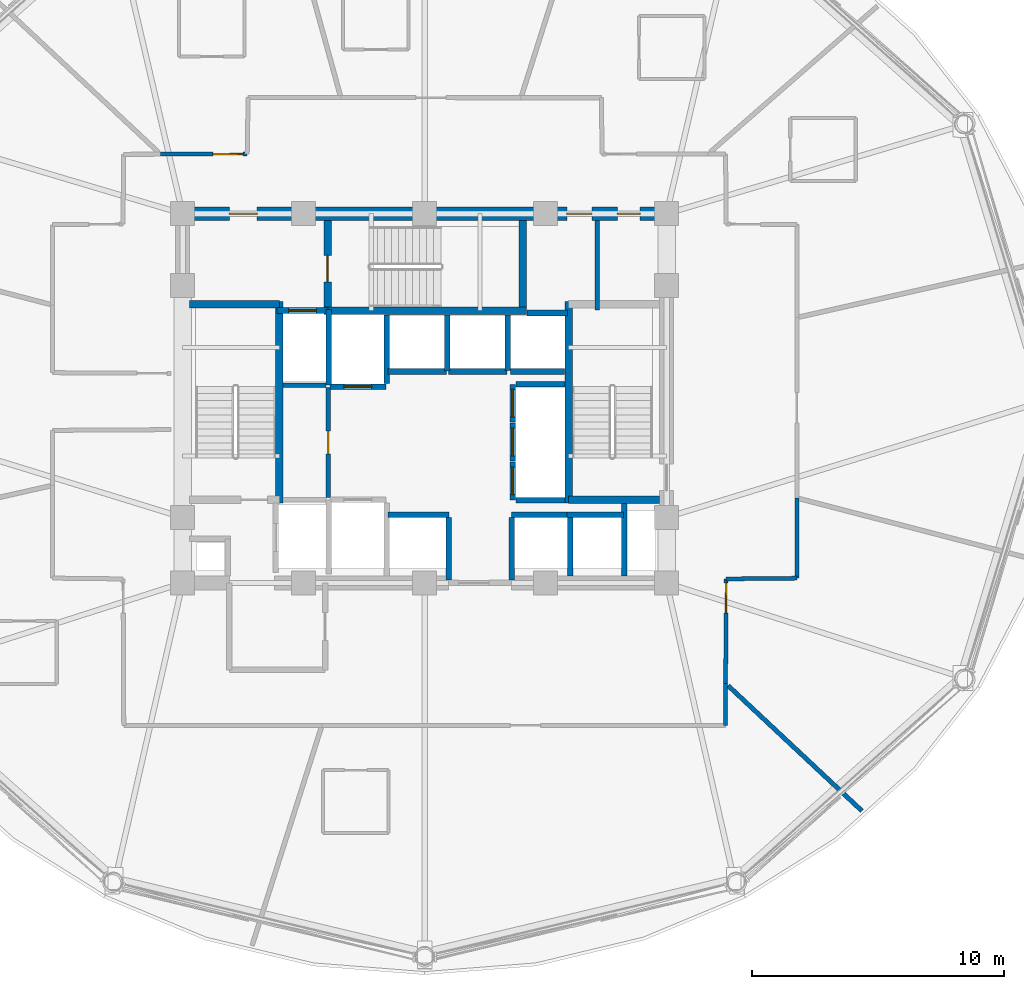
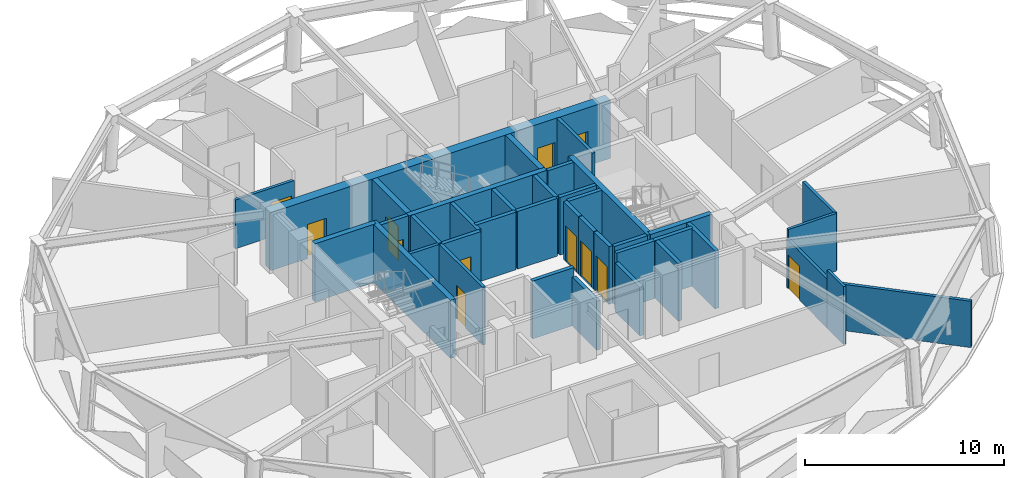
# One storey, part 6 of 12: 39 walls, 12 doors, 12 openings.
"""IFC4 building model written with IfcOpenShell, lengths in metres."""

from ifc_helpers import new_model, si_unit, direction, frame, frame_2d, origin, place, context, subcontext, project, spatial, rectangle, extrude, material, layer, layer_set, type_object, element, fill, save


model = new_model("IFC4")

# Units and contexts
model_context = context("Model", 3, precision=1e-05, world=origin(), true_north=direction((0.0, 1.0)))
body_context = subcontext(model_context, "Body", "Model", "MODEL_VIEW")
ifc_project = project(units=[si_unit("LENGTHUNIT", "METRE"), si_unit("AREAUNIT", "SQUARE_METRE"), si_unit("VOLUMEUNIT", "CUBIC_METRE"), si_unit("PLANEANGLEUNIT", "RADIAN"), si_unit("MASSUNIT", "GRAM", prefix="KILO")], contexts=[model_context])

# Site, building, storey
site_placement = place(None, origin())
site = spatial("IfcSite", under=ifc_project, at=site_placement, CompositionType="ELEMENT")
building_placement = place(site_placement, origin())
building = spatial("IfcBuilding", under=site, at=building_placement, Name="Vantalir Tower", CompositionType="ELEMENT")
storey_placement = place(building_placement, frame((0.0, 0.0, 160.949951171875)))
storey = spatial("IfcBuildingStorey", under=building, at=storey_placement, Name="L40", CompositionType="ELEMENT", Elevation=160.949951171875)

# Wall, openings, doors
ifc_material_1 = material(Name="Concrete C60/75", Category="concrete")
ifc_layer_1 = layer(ifc_material_1, 0.550048828125)
ifc_layer_set_1 = layer_set([ifc_layer_1], Name="Concrete C60/75")
wall_type_1 = type_object("IfcWallType", Name="WL-CORE-550", PredefinedType="SHEAR", material=ifc_layer_set_1)
wall_1_placement = place(storey_placement, frame((21.625, 32.449951171875, 0.0), z_axis=(0.0, 0.0, 1.0), x_axis=(1.0, 0.0, 0.0)))
wall_1 = element("IfcWall", 1, at=wall_1_placement, inside=storey, type_object=wall_type_1, Name="L40 Core Shear Wall North", PredefinedType="SHEAR", context=body_context, shape_type="SweptSolid", body=[
    extrude(rectangle(XDim=19.75, YDim=0.550048828125, at=frame_2d((9.875, 0.0))), origin(), (0.0, 0.0, 1.0), 3.570068359375),
])
opening_1_placement = place(wall_1_placement, frame((2.125, 0.0, 0.0)))
opening_1 = element("IfcOpeningElement", 2, at=opening_1_placement, cuts=wall_1, Name="Opening D-FFL", PredefinedType="OPENING", context=body_context, shape_type="SweptSolid", body=[
    extrude(rectangle(XDim=1.10009765625, YDim=2.10009765625, at=frame_2d((0.550048828125, 1.050048828125))), frame((0.0, 0.284912109375, 0.0), z_axis=(0.0, -1.0, 0.0), x_axis=(1.0, 0.0, 0.0)), (0.0, 0.0, 1.0), 0.570068359375),
])
opening_2_placement = place(wall_1_placement, frame((15.514892578125, 0.0, 0.0)))
opening_2 = element("IfcOpeningElement", 3, at=opening_2_placement, cuts=wall_1, Name="Opening D-GUEST", PredefinedType="OPENING", context=body_context, shape_type="SweptSolid", body=[
    extrude(rectangle(XDim=1.0, YDim=2.10009765625, at=frame_2d((0.5, 1.050048828125))), frame((0.0, 0.284912109375, 0.0), z_axis=(0.0, -1.0, 0.0), x_axis=(1.0, 0.0, 0.0)), (0.0, 0.0, 1.0), 0.570068359375),
])
opening_3_placement = place(wall_1_placement, frame((17.52490234375, 0.0, 0.0)))
opening_3 = element("IfcOpeningElement", 4, at=opening_3_placement, cuts=wall_1, Name="Opening D-CR", PredefinedType="OPENING", context=body_context, shape_type="SweptSolid", body=[
    extrude(rectangle(XDim=0.89990234375, YDim=2.10009765625, at=frame_2d((0.449951171875, 1.050048828125))), frame((0.0, 0.284912109375, 0.0), z_axis=(0.0, -1.0, 0.0), x_axis=(1.0, 0.0, 0.0)), (0.0, 0.0, 1.0), 0.570068359375),
])
ifc_material_2 = material(Name="Fire-rated steel core service door", Category="steel")
door_type_1 = type_object("IfcDoorType", Name="DR-CORE-SERV-900", OperationType="NOTDEFINED", PredefinedType="DOOR", material=ifc_material_2)
door_1_placement = place(opening_3_placement, frame((0.89990234375, 0.0, 0.0), z_axis=(0.0, 0.0, 1.0), x_axis=(-1.0, 0.0, 0.0)))
door_1 = element("IfcDoor", 5, at=door_1_placement, inside=storey, type_object=door_type_1, Name="L40 Housekeeping and Linen Room Door", OperationType="SINGLE_SWING_RIGHT", OverallHeight=2.10009765625, OverallWidth=0.89990234375, PredefinedType="DOOR", context=body_context, shape_type="SweptSolid", body=[
    extrude(rectangle(XDim=0.89990234375, YDim=2.10009765625, at=frame_2d((0.449951171875, 1.050048828125))), frame((0.0, 0.02490234375, 0.0), z_axis=(0.0, -1.0, 0.0), x_axis=(1.0, 0.0, 0.0)), (0.0, 0.0, 1.0), 0.050048828125),
])
fill(opening_3, door_1)
ifc_material_3 = material(Name="Fire-rated acoustic steel door", Category="steel")
door_type_2 = type_object("IfcDoorType", Name="DR-FIRE-LOBBY-1100", OperationType="NOTDEFINED", PredefinedType="DOOR", material=ifc_material_3)
door_2_placement = place(opening_1_placement, frame((1.10009765625, 0.0, 0.0), z_axis=(0.0, 0.0, 1.0), x_axis=(-1.0, 0.0, 0.0)))
door_2 = element("IfcDoor", 6, at=door_2_placement, inside=storey, type_object=door_type_2, Name="L40 Firefighting Lobby East Access Door", OperationType="SINGLE_SWING_RIGHT", OverallHeight=2.10009765625, OverallWidth=1.10009765625, PredefinedType="DOOR", context=body_context, shape_type="SweptSolid", body=[
    extrude(rectangle(XDim=1.10009765625, YDim=2.10009765625, at=frame_2d((0.550048828125, 1.050048828125))), frame((0.0, 0.02490234375, 0.0), z_axis=(0.0, -1.0, 0.0), x_axis=(1.0, 0.0, 0.0)), (0.0, 0.0, 1.0), 0.050048828125),
])
fill(opening_1, door_2)
ifc_material_4 = material(Name="Solid-core teak veneer acoustic fire door", Category="wood")
door_type_3 = type_object("IfcDoorType", Name="DR-GUEST-ENTRY-1000", OperationType="NOTDEFINED", PredefinedType="DOOR", material=ifc_material_4)
door_3_placement = place(opening_2_placement, frame((1.0, 0.0, 0.0), z_axis=(0.0, 0.0, 1.0), x_axis=(-1.0, 0.0, 0.0)))
door_3 = element("IfcDoor", 7, at=door_3_placement, inside=storey, type_object=door_type_3, Name="L40 High-Rise Lift Lobby Door", OperationType="SINGLE_SWING_LEFT", OverallHeight=2.10009765625, OverallWidth=1.0, PredefinedType="DOOR", context=body_context, shape_type="SweptSolid", body=[
    extrude(rectangle(XDim=1.0, YDim=2.10009765625, at=frame_2d((0.5, 1.050048828125))), frame((0.0, 0.02490234375, 0.0), z_axis=(0.0, -1.0, 0.0), x_axis=(1.0, 0.0, 0.0)), (0.0, 0.0, 1.0), 0.050048828125),
])
fill(opening_2, door_3)

# Wall, opening, door
ifc_material_5 = material(Name="Fire-rated hotel corridor acoustic partition", Category="gypsum")
ifc_layer_2 = layer(ifc_material_5, 0.159912109375)
ifc_layer_set_2 = layer_set([ifc_layer_2], Name="Fire-rated hotel corridor acoustic partition")
wall_type_2 = type_object("IfcWallType", Name="WL-CORR-160", PredefinedType="PARTITIONING", material=ifc_layer_set_2)
wall_2_placement = place(storey_placement, frame((21.02294921875, 34.81005859375, 0.0), z_axis=(0.0, 0.0, 1.0), x_axis=(0.999998990869, 0.00142065491, 0.0)))
wall_2 = element("IfcWall", 8, at=wall_2_placement, inside=storey, type_object=wall_type_2, Name="L40 Corridor Partition 07", PredefinedType="PARTITIONING", context=body_context, shape_type="SweptSolid", body=[
    extrude(rectangle(XDim=3.43701171875, YDim=0.159912109375, at=frame_2d((1.718505859375, 0.0))), origin(), (0.0, 0.0, 1.0), 3.006103515625),
])
opening_4_placement = place(wall_2_placement, frame((2.076904296875, 0.0, 0.0)))
opening_4 = element("IfcOpeningElement", 9, at=opening_4_placement, cuts=wall_2, Name="Opening D-STE", PredefinedType="OPENING", context=body_context, shape_type="SweptSolid", body=[
    extrude(rectangle(XDim=1.199951171875, YDim=2.10009765625, at=frame_2d((0.60009765625, 1.050048828125))), frame((0.0, 0.08984375, 0.0), z_axis=(0.0, -1.0, 0.0), x_axis=(1.0, 0.0, 0.0)), (0.0, 0.0, 1.0), 0.179931640625),
])
ifc_material_6 = material(Name="Solid-core teak veneer suite entrance door", Category="wood")
door_type_4 = type_object("IfcDoorType", Name="DR-SUITE-ENTRY-1200", OperationType="NOTDEFINED", PredefinedType="DOOR", material=ifc_material_6)
door_4_placement = place(opening_4_placement, origin())
door_4 = element("IfcDoor", 10, at=door_4_placement, inside=storey, type_object=door_type_4, Name="L40 Corner Panorama Hotel Suite 04 Door", OperationType="SINGLE_SWING_LEFT", OverallHeight=2.10009765625, OverallWidth=1.199951171875, PredefinedType="DOOR", context=body_context, shape_type="SweptSolid", body=[
    extrude(rectangle(XDim=1.199951171875, YDim=2.10009765625, at=frame_2d((0.60009765625, 1.050048828125))), frame((0.0, 0.02490234375, 0.0), z_axis=(0.0, -1.0, 0.0), x_axis=(1.0, 0.0, 0.0)), (0.0, 0.0, 1.0), 0.050048828125),
])
fill(opening_4, door_4)

# Walls
wall_3_placement = place(storey_placement, frame((46.26806640625, 21.1708984375, 0.0), z_axis=(0.0, 0.0, 1.0), x_axis=(0.0, -1.0, 0.0)))
element("IfcWall", 11, at=wall_3_placement, inside=storey, type_object=wall_type_2, Name="L40 Corridor Partition 19", PredefinedType="PARTITIONING", context=body_context, shape_type="SweptSolid", body=[
    extrude(rectangle(XDim=3.182861328125, YDim=0.159912109375, at=frame_2d((1.59130859375, 0.0))), origin(), (0.0, 0.0, 1.0), 3.550048828125),
])
wall_4_placement = place(storey_placement, frame((46.26806640625, 17.988037109375, 0.0), z_axis=(0.0, 0.0, 1.0), x_axis=(-0.999949838147, -0.010016046632, 0.0)))
element("IfcWall", 12, at=wall_4_placement, inside=storey, type_object=wall_type_2, Name="L40 Corridor Partition 20", PredefinedType="PARTITIONING", context=body_context, shape_type="SweptSolid", body=[
    extrude(rectangle(XDim=2.80322265625, YDim=0.159912109375, at=frame_2d((1.401611328125, 0.0))), origin(), (0.0, 0.0, 1.0), 3.550048828125),
])

# Wall, opening, door
wall_5_placement = place(storey_placement, frame((43.465087890625, 17.9599609375, 0.0), z_axis=(0.0, 0.0, 1.0), x_axis=(-0.005599676426, -0.999984321689, 0.0)))
wall_5 = element("IfcWall", 13, at=wall_5_placement, inside=storey, type_object=wall_type_2, Name="L40 Corridor Partition 21", PredefinedType="PARTITIONING", context=body_context, shape_type="SweptSolid", body=[
    extrude(rectangle(XDim=4.141845703125, YDim=0.159912109375, at=frame_2d((2.07080078125, 0.0))), origin(), (0.0, 0.0, 1.0), 3.006103515625),
])
opening_5_placement = place(wall_5_placement, frame((0.159912109375, 0.0, 0.0)))
opening_5 = element("IfcOpeningElement", 14, at=opening_5_placement, cuts=wall_5, Name="Opening D-STE", PredefinedType="OPENING", context=body_context, shape_type="SweptSolid", body=[
    extrude(rectangle(XDim=1.199951171875, YDim=2.10009765625, at=frame_2d((0.60009765625, 1.050048828125))), frame((0.0, 0.08984375, 0.0), z_axis=(0.0, -1.0, 0.0), x_axis=(1.0, 0.0, 0.0)), (0.0, 0.0, 1.0), 0.179931640625),
])
door_5_placement = place(opening_5_placement, origin())
door_5 = element("IfcDoor", 15, at=door_5_placement, inside=storey, type_object=door_type_4, Name="L40 Executive Sky Boardroom 09 Door", OperationType="SINGLE_SWING_RIGHT", OverallHeight=2.10009765625, OverallWidth=1.199951171875, PredefinedType="DOOR", context=body_context, shape_type="SweptSolid", body=[
    extrude(rectangle(XDim=1.199951171875, YDim=2.10009765625, at=frame_2d((0.60009765625, 1.050048828125))), frame((0.0, 0.02490234375, 0.0), z_axis=(0.0, -1.0, 0.0), x_axis=(1.0, 0.0, 0.0)), (0.0, 0.0, 1.0), 0.050048828125),
])
fill(opening_5, door_5)

# Walls
wall_6_placement = place(storey_placement, frame((43.44189453125, 13.818115234375, 0.0), z_axis=(0.0, 0.0, 1.0), x_axis=(-0.005271562423, -0.999986105218, 0.0)))
element("IfcWall", 16, at=wall_6_placement, inside=storey, type_object=wall_type_2, Name="L40 Corridor Partition 22", PredefinedType="PARTITIONING", context=body_context, shape_type="SweptSolid", body=[
    extrude(rectangle(XDim=1.667236328125, YDim=0.159912109375, at=frame_2d((0.83349609375, 0.0))), origin(), (0.0, 0.0, 1.0), 3.550048828125),
])
ifc_material_7 = material(Name="Concrete blockwork with fireboard lining", Category="masonry")
ifc_layer_3 = layer(ifc_material_7, 0.219970703125)
ifc_layer_set_3 = layer_set([ifc_layer_3], Name="Concrete blockwork with fireboard lining")
wall_type_3 = type_object("IfcWallType", Name="WL-FFL-220", PredefinedType="PARTITIONING", material=ifc_layer_set_3)
for number, where, z_axis, x_axis, name in (
    (17, (32.449951171875, 17.919921875, 0.0), (0.0, 0.0, 1.0), (0.0, 1.0, 0.0), "L40 Shuttle Lift PL-X1 East Shaft Cheek"),
    (18, (34.949951171875, 17.919921875, 0.0), (0.0, 0.0, 1.0), (0.0, 1.0, 0.0), "L40 Shuttle Lift PL-X3 West Shaft Cheek"),
):
    element("IfcWall", number, at=place(storey_placement, frame(where, z_axis=z_axis, x_axis=x_axis)), inside=storey, type_object=wall_type_3, Name=name, PredefinedType="PARTITIONING", context=body_context, shape_type="SweptSolid", body=[
        extrude(rectangle(XDim=2.469970703125, YDim=0.219970703125, at=frame_2d((1.23486328125, 0.0))), origin(), (0.0, 0.0, 1.0), 3.006103515625),
    ])
wall_7_placement = place(storey_placement, frame((37.27490234375, 18.080078125, 0.0), z_axis=(0.0, 0.0, 1.0), x_axis=(0.0, 1.0, 0.0)))
element("IfcWall", 19, at=wall_7_placement, inside=storey, type_object=wall_type_3, Name="L40 Shuttle Lift PL-X2/X3 Shaft Divider", PredefinedType="PARTITIONING", context=body_context, shape_type="SweptSolid", body=[
    extrude(rectangle(XDim=2.309814453125, YDim=0.219970703125, at=frame_2d((1.15478515625, 0.0))), origin(), (0.0, 0.0, 1.0), 3.545166015625),
])
wall_8_placement = place(storey_placement, frame((30.0, 25.7099609375, 0.0), z_axis=(0.0, 0.0, 1.0), x_axis=(0.0, 1.0, 0.0)))
element("IfcWall", 20, at=wall_8_placement, inside=storey, type_object=wall_type_3, Name="L40 Service Lift SV2 East Shaft Wall", PredefinedType="PARTITIONING", context=body_context, shape_type="SweptSolid", body=[
    extrude(rectangle(XDim=2.72998046875, YDim=0.219970703125, at=frame_2d((1.364990234375, 0.0))), origin(), (0.0, 0.0, 1.0), 3.545166015625),
])
wall_9_placement = place(storey_placement, frame((32.39990234375, 26.199951171875, 0.0), z_axis=(0.0, 0.0, 1.0), x_axis=(0.0, 1.0, 0.0)))
element("IfcWall", 21, at=wall_9_placement, inside=storey, type_object=wall_type_3, Name="L40 High-Rise Lift PL-H1/H2 Shaft Divider", PredefinedType="PARTITIONING", context=body_context, shape_type="SweptSolid", body=[
    extrude(rectangle(XDim=2.239990234375, YDim=0.219970703125, at=frame_2d((1.1201171875, 0.0))), origin(), (0.0, 0.0, 1.0), 3.545166015625),
])
wall_10_placement = place(storey_placement, frame((34.800048828125, 26.22998046875, 0.0), z_axis=(0.0, 0.0, 1.0), x_axis=(0.0, 1.0, 0.0)))
element("IfcWall", 22, at=wall_10_placement, inside=storey, type_object=wall_type_3, Name="L40 High-Rise Lift PL-H2/H3 Shaft Divider", PredefinedType="PARTITIONING", context=body_context, shape_type="SweptSolid", body=[
    extrude(rectangle(XDim=2.2099609375, YDim=0.219970703125, at=frame_2d((1.10498046875, 0.0))), origin(), (0.0, 0.0, 1.0), 3.545166015625),
])
wall_11_placement = place(storey_placement, frame((34.909912109375, 26.18994140625, 0.0), z_axis=(0.0, 0.0, 1.0), x_axis=(1.0, 0.0, 0.0)))
element("IfcWall", 23, at=wall_11_placement, inside=storey, type_object=wall_type_3, Name="L40 High-Rise Lift PL-H3 Rear Shaft Wall", PredefinedType="PARTITIONING", context=body_context, shape_type="SweptSolid", body=[
    extrude(rectangle(XDim=2.14013671875, YDim=0.219970703125, at=frame_2d((1.070068359375, 0.0))), origin(), (0.0, 0.0, 1.0), 3.545166015625),
])
wall_12_placement = place(storey_placement, frame((39.419921875, 18.074951171875, 0.0), z_axis=(0.0, 0.0, 1.0), x_axis=(0.0, 1.0, 0.0)))
element("IfcWall", 24, at=wall_12_placement, inside=storey, type_object=wall_type_3, Name="L40 East MEP Riser Wall W", PredefinedType="PARTITIONING", context=body_context, shape_type="SweptSolid", body=[
    extrude(rectangle(XDim=2.875, YDim=0.219970703125, at=frame_2d((1.4375, 0.0))), origin(), (0.0, 0.0, 1.0), 3.550048828125),
])

# Wall, opening, door
wall_13_placement = place(storey_placement, frame((25.639892578125, 28.610107421875, 0.0), z_axis=(0.0, 0.0, 1.0), x_axis=(1.0, 0.0, 0.0)))
wall_13 = element("IfcWall", 25, at=wall_13_placement, inside=storey, type_object=wall_type_3, Name="L40 Lift FL2 Shaft Front Wall", PredefinedType="PARTITIONING", context=body_context, shape_type="SweptSolid", body=[
    extrude(rectangle(XDim=2.02001953125, YDim=0.219970703125, at=frame_2d((1.010009765625, 0.0))), origin(), (0.0, 0.0, 1.0), 3.550048828125),
])
opening_6_placement = place(wall_13_placement, frame((0.4599609375, 0.0, 0.0)))
opening_6 = element("IfcOpeningElement", 26, at=opening_6_placement, cuts=wall_13, Name="Opening LD-FL2", PredefinedType="OPENING", context=body_context, shape_type="SweptSolid", body=[
    extrude(rectangle(XDim=1.10009765625, YDim=2.199951171875, at=frame_2d((0.550048828125, 1.10009765625))), frame((0.0, 0.119873046875, 0.0), z_axis=(0.0, -1.0, 0.0), x_axis=(1.0, 0.0, 0.0)), (0.0, 0.0, 1.0), 0.239990234375),
])
ifc_material_8 = material(Name="Brushed stainless-steel sliding lift landing door", Category="steel")
door_type_5 = type_object("IfcDoorType", Name="DR-LIFT-LANDING-1100", OperationType="DOUBLE_DOOR_SLIDING", PredefinedType="DOOR", material=ifc_material_8)
door_6_placement = place(opening_6_placement, origin())
door_6 = element("IfcDoor", 27, at=door_6_placement, inside=storey, type_object=door_type_5, Name="L40 Lift Landing Door FL2", OperationType="DOUBLE_DOOR_SLIDING", OverallHeight=2.199951171875, OverallWidth=1.10009765625, PredefinedType="DOOR", context=body_context, shape_type="SweptSolid", body=[
    extrude(rectangle(XDim=1.10009765625, YDim=2.199951171875, at=frame_2d((0.550048828125, 1.10009765625))), frame((0.0, 0.02490234375, 0.0), z_axis=(0.0, -1.0, 0.0), x_axis=(1.0, 0.0, 0.0)), (0.0, 0.0, 1.0), 0.050048828125),
])
fill(opening_6, door_6)

wall_14_placement = place(storey_placement, frame((27.739990234375, 25.590087890625, 0.0), z_axis=(0.0, 0.0, 1.0), x_axis=(1.0, 0.0, 0.0)))
wall_14 = element("IfcWall", 28, at=wall_14_placement, inside=storey, type_object=wall_type_3, Name="L40 Lift SV2 Shaft Front Wall", PredefinedType="PARTITIONING", context=body_context, shape_type="SweptSolid", body=[
    extrude(rectangle(XDim=2.219970703125, YDim=0.219970703125, at=frame_2d((1.10986328125, 0.0))), origin(), (0.0, 0.0, 1.0), 3.550048828125),
])
opening_7_placement = place(wall_14_placement, frame((0.56005859375, 0.0, 0.0)))
opening_7 = element("IfcOpeningElement", 29, at=opening_7_placement, cuts=wall_14, Name="Opening LD-SV2", PredefinedType="OPENING", context=body_context, shape_type="SweptSolid", body=[
    extrude(rectangle(XDim=1.10009765625, YDim=2.199951171875, at=frame_2d((0.550048828125, 1.10009765625))), frame((0.0, 0.119873046875, 0.0), z_axis=(0.0, -1.0, 0.0), x_axis=(1.0, 0.0, 0.0)), (0.0, 0.0, 1.0), 0.239990234375),
])
door_7_placement = place(opening_7_placement, frame((1.10009765625, 0.0, 0.0), z_axis=(0.0, 0.0, 1.0), x_axis=(-1.0, 0.0, 0.0)))
door_7 = element("IfcDoor", 30, at=door_7_placement, inside=storey, type_object=door_type_5, Name="L40 Lift Landing Door SV2", OperationType="DOUBLE_DOOR_SLIDING", OverallHeight=2.199951171875, OverallWidth=1.10009765625, PredefinedType="DOOR", context=body_context, shape_type="SweptSolid", body=[
    extrude(rectangle(XDim=1.10009765625, YDim=2.199951171875, at=frame_2d((0.550048828125, 1.10009765625))), frame((0.0, 0.02490234375, 0.0), z_axis=(0.0, -1.0, 0.0), x_axis=(1.0, 0.0, 0.0)), (0.0, 0.0, 1.0), 0.050048828125),
])
fill(opening_7, door_7)

# Walls
wall_15_placement = place(storey_placement, frame((30.0400390625, 20.510009765625, 0.0), z_axis=(0.0, 0.0, 1.0), x_axis=(1.0, 0.0, 0.0)))
element("IfcWall", 31, at=wall_15_placement, inside=storey, type_object=wall_type_3, Name="L40 Lift PL-X1 Shaft Front Wall", PredefinedType="PARTITIONING", context=body_context, shape_type="SweptSolid", body=[
    extrude(rectangle(XDim=2.419921875, YDim=0.219970703125, at=frame_2d((1.2099609375, 0.0))), origin(), (0.0, 0.0, 1.0), 3.550048828125),
])
for number, where, z_axis, x_axis, name in (
    (32, (37.139892578125, 20.510009765625, 0.0), (0.0, 0.0, 1.0), (1.0, 0.0, 0.0), "L40 Lift PL-X2 Shaft Rear Wall"),
    (33, (34.93994140625, 20.510009765625, 0.0), (0.0, 0.0, 1.0), (1.0, 0.0, 0.0), "L40 Lift PL-X3 Shaft Front Wall"),
):
    element("IfcWall", number, at=place(storey_placement, frame(where, z_axis=z_axis, x_axis=x_axis)), inside=storey, type_object=wall_type_3, Name=name, PredefinedType="PARTITIONING", context=body_context, shape_type="SweptSolid", body=[
        extrude(rectangle(XDim=2.239990234375, YDim=0.219970703125, at=frame_2d((1.1201171875, 0.0))), origin(), (0.0, 0.0, 1.0), 3.550048828125),
    ])
for number, where, z_axis, x_axis, name in (
    (34, (30.0400390625, 26.18994140625, 0.0), (0.0, 0.0, 1.0), (1.0, 0.0, 0.0), "L40 Lift PL-H1 Shaft Front Wall"),
    (35, (32.43994140625, 26.18994140625, 0.0), (0.0, 0.0, 1.0), (1.0, 0.0, 0.0), "L40 Lift PL-H2 Shaft Front Wall"),
):
    element("IfcWall", number, at=place(storey_placement, frame(where, z_axis=z_axis, x_axis=x_axis)), inside=storey, type_object=wall_type_3, Name=name, PredefinedType="PARTITIONING", context=body_context, shape_type="SweptSolid", body=[
        extrude(rectangle(XDim=2.320068359375, YDim=0.219970703125, at=frame_2d((1.16015625, 0.0))), origin(), (0.0, 0.0, 1.0), 3.550048828125),
    ])
wall_16_placement = place(storey_placement, frame((35.56005859375, 28.510009765625, 0.0), z_axis=(0.0, 0.0, 1.0), x_axis=(1.0, 0.0, 0.0)))
element("IfcWall", 36, at=wall_16_placement, inside=storey, type_object=wall_type_3, Name="L40 Lift PL-H3 Shaft Front Wall", PredefinedType="PARTITIONING", context=body_context, shape_type="SweptSolid", body=[
    extrude(rectangle(XDim=1.599853515625, YDim=0.219970703125, at=frame_2d((0.7998046875, 0.0))), origin(), (0.0, 0.0, 1.0), 3.550048828125),
])

# Wall, opening, door
wall_17_placement = place(storey_placement, frame((34.989990234375, 21.10009765625, 0.0), z_axis=(0.0, 0.0, 1.0), x_axis=(0.0, 1.0, 0.0)))
wall_17 = element("IfcWall", 37, at=wall_17_placement, inside=storey, type_object=wall_type_3, Name="L40 Lift PL-M1 Shaft Front Wall", PredefinedType="PARTITIONING", context=body_context, shape_type="SweptSolid", body=[
    extrude(rectangle(XDim=1.5, YDim=0.219970703125, at=frame_2d((0.75, 0.0))), origin(), (0.0, 0.0, 1.0), 3.550048828125),
])
opening_8_placement = place(wall_17_placement, frame((0.199951171875, 0.0, 0.0)))
opening_8 = element("IfcOpeningElement", 38, at=opening_8_placement, cuts=wall_17, Name="Opening LD-PL-M1", PredefinedType="OPENING", context=body_context, shape_type="SweptSolid", body=[
    extrude(rectangle(XDim=1.10009765625, YDim=2.199951171875, at=frame_2d((0.550048828125, 1.10009765625))), frame((0.0, 0.119873046875, 0.0), z_axis=(0.0, -1.0, 0.0), x_axis=(1.0, 0.0, 0.0)), (0.0, 0.0, 1.0), 0.239990234375),
])
door_8_placement = place(opening_8_placement, origin())
door_8 = element("IfcDoor", 39, at=door_8_placement, inside=storey, type_object=door_type_5, Name="L40 Lift Landing Door PL-M1", OperationType="DOUBLE_DOOR_SLIDING", OverallHeight=2.199951171875, OverallWidth=1.10009765625, PredefinedType="DOOR", context=body_context, shape_type="SweptSolid", body=[
    extrude(rectangle(XDim=1.10009765625, YDim=2.199951171875, at=frame_2d((0.550048828125, 1.10009765625))), frame((0.0, 0.02490234375, 0.0), z_axis=(0.0, -1.0, 0.0), x_axis=(1.0, 0.0, 0.0)), (0.0, 0.0, 1.0), 0.050048828125),
])
fill(opening_8, door_8)

wall_18_placement = place(storey_placement, frame((34.989990234375, 22.639892578125, 0.0), z_axis=(0.0, 0.0, 1.0), x_axis=(0.0, 1.0, 0.0)))
wall_18 = element("IfcWall", 40, at=wall_18_placement, inside=storey, type_object=wall_type_3, Name="L40 Lift PL-M2 Shaft Front Wall", PredefinedType="PARTITIONING", context=body_context, shape_type="SweptSolid", body=[
    extrude(rectangle(XDim=1.5, YDim=0.219970703125, at=frame_2d((0.75, 0.0))), origin(), (0.0, 0.0, 1.0), 3.550048828125),
])
opening_9_placement = place(wall_18_placement, frame((0.199951171875, 0.0, 0.0)))
opening_9 = element("IfcOpeningElement", 41, at=opening_9_placement, cuts=wall_18, Name="Opening LD-PL-M2", PredefinedType="OPENING", context=body_context, shape_type="SweptSolid", body=[
    extrude(rectangle(XDim=1.10009765625, YDim=2.199951171875, at=frame_2d((0.550048828125, 1.10009765625))), frame((0.0, 0.119873046875, 0.0), z_axis=(0.0, -1.0, 0.0), x_axis=(1.0, 0.0, 0.0)), (0.0, 0.0, 1.0), 0.239990234375),
])
door_9_placement = place(opening_9_placement, origin())
door_9 = element("IfcDoor", 42, at=door_9_placement, inside=storey, type_object=door_type_5, Name="L40 Lift Landing Door PL-M2", OperationType="DOUBLE_DOOR_SLIDING", OverallHeight=2.199951171875, OverallWidth=1.10009765625, PredefinedType="DOOR", context=body_context, shape_type="SweptSolid", body=[
    extrude(rectangle(XDim=1.10009765625, YDim=2.199951171875, at=frame_2d((0.550048828125, 1.10009765625))), frame((0.0, 0.02490234375, 0.0), z_axis=(0.0, -1.0, 0.0), x_axis=(1.0, 0.0, 0.0)), (0.0, 0.0, 1.0), 0.050048828125),
])
fill(opening_9, door_9)

wall_19_placement = place(storey_placement, frame((34.989990234375, 24.179931640625, 0.0), z_axis=(0.0, 0.0, 1.0), x_axis=(0.0, 1.0, 0.0)))
wall_19 = element("IfcWall", 43, at=wall_19_placement, inside=storey, type_object=wall_type_3, Name="L40 Lift PL-M3 Shaft Front Wall", PredefinedType="PARTITIONING", context=body_context, shape_type="SweptSolid", body=[
    extrude(rectangle(XDim=1.5, YDim=0.219970703125, at=frame_2d((0.75, 0.0))), origin(), (0.0, 0.0, 1.0), 3.550048828125),
])
opening_10_placement = place(wall_19_placement, frame((0.199951171875, 0.0, 0.0)))
opening_10 = element("IfcOpeningElement", 44, at=opening_10_placement, cuts=wall_19, Name="Opening LD-PL-M3", PredefinedType="OPENING", context=body_context, shape_type="SweptSolid", body=[
    extrude(rectangle(XDim=1.10009765625, YDim=2.199951171875, at=frame_2d((0.550048828125, 1.10009765625))), frame((0.0, 0.119873046875, 0.0), z_axis=(0.0, -1.0, 0.0), x_axis=(1.0, 0.0, 0.0)), (0.0, 0.0, 1.0), 0.239990234375),
])
door_10_placement = place(opening_10_placement, origin())
door_10 = element("IfcDoor", 45, at=door_10_placement, inside=storey, type_object=door_type_5, Name="L40 Lift Landing Door PL-M3", OperationType="DOUBLE_DOOR_SLIDING", OverallHeight=2.199951171875, OverallWidth=1.10009765625, PredefinedType="DOOR", context=body_context, shape_type="SweptSolid", body=[
    extrude(rectangle(XDim=1.10009765625, YDim=2.199951171875, at=frame_2d((0.550048828125, 1.10009765625))), frame((0.0, 0.02490234375, 0.0), z_axis=(0.0, -1.0, 0.0), x_axis=(1.0, 0.0, 0.0)), (0.0, 0.0, 1.0), 0.050048828125),
])
fill(opening_10, door_10)

# Walls
wall_20_placement = place(storey_placement, frame((27.699951171875, 25.64990234375, 0.0), z_axis=(0.0, 0.0, 1.0), x_axis=(0.0, 1.0, 0.0)))
element("IfcWall", 46, at=wall_20_placement, inside=storey, type_object=wall_type_3, Name="L40 Fire Lift FL2 Dividing Wall", PredefinedType="PARTITIONING", context=body_context, shape_type="SweptSolid", body=[
    extrude(rectangle(XDim=3.0, YDim=0.219970703125, at=frame_2d((1.5, 0.0))), origin(), (0.0, 0.0, 1.0), 3.550048828125),
])
for number, where, z_axis, x_axis, name in (
    (47, (35.1201171875, 21.080078125, 0.0), (0.0, 0.0, 1.0), (1.0, 0.0, 0.0), "L40 Mid-Rise Bank South Wall"),
    (48, (35.1201171875, 25.679931640625, 0.0), (0.0, 0.0, 1.0), (1.0, 0.0, 0.0), "L40 Mid-Rise Bank North Wall"),
):
    element("IfcWall", number, at=place(storey_placement, frame(where, z_axis=z_axis, x_axis=x_axis)), inside=storey, type_object=wall_type_3, Name=name, PredefinedType="PARTITIONING", context=body_context, shape_type="SweptSolid", body=[
        extrude(rectangle(XDim=1.93994140625, YDim=0.219970703125, at=frame_2d((0.969970703125, 0.0))), origin(), (0.0, 0.0, 1.0), 3.550048828125),
    ])
ifc_material_9 = material(Name="Twin-stud acoustic fire-rated gypsum partition", Category="gypsum")
ifc_layer_4 = layer(ifc_material_9, 0.179931640625)
ifc_layer_set_4 = layer_set([ifc_layer_4], Name="Twin-stud acoustic fire-rated gypsum partition")
wall_type_4 = type_object("IfcWallType", Name="WL-GUEST-180", PredefinedType="PARTITIONING", material=ifc_layer_set_4)
wall_21_placement = place(storey_placement, frame((25.889892578125, 25.64990234375, 0.0), z_axis=(0.0, 0.0, 1.0), x_axis=(1.0, 0.0, 0.0)))
element("IfcWall", 49, at=wall_21_placement, inside=storey, type_object=wall_type_4, Name="L40 Freed West Core North Wall", PredefinedType="PARTITIONING", context=body_context, shape_type="SweptSolid", body=[
    extrude(rectangle(XDim=1.7001953125, YDim=0.179931640625, at=frame_2d((0.85009765625, 0.0))), origin(), (0.0, 0.0, 1.0), 3.550048828125),
])

# Wall, opening, door
wall_22_placement = place(storey_placement, frame((27.679931640625, 21.18994140625, 0.0), z_axis=(0.0, 0.0, 1.0), x_axis=(0.0, 1.0, 0.0)))
wall_22 = element("IfcWall", 50, at=wall_22_placement, inside=storey, type_object=wall_type_4, Name="L40 West Pantry East Wall", PredefinedType="PARTITIONING", context=body_context, shape_type="SweptSolid", body=[
    extrude(rectangle(XDim=4.3701171875, YDim=0.179931640625, at=frame_2d((2.18505859375, 0.0))), origin(), (0.0, 0.0, 1.0), 3.550048828125),
])
opening_11_placement = place(wall_22_placement, frame((1.735107421875, 0.0, 0.0)))
opening_11 = element("IfcOpeningElement", 51, at=opening_11_placement, cuts=wall_22, Name="Opening D-CR", PredefinedType="OPENING", context=body_context, shape_type="SweptSolid", body=[
    extrude(rectangle(XDim=0.89990234375, YDim=2.10009765625, at=frame_2d((0.449951171875, 1.050048828125))), frame((0.0, 0.099853515625, 0.0), z_axis=(0.0, -1.0, 0.0), x_axis=(1.0, 0.0, 0.0)), (0.0, 0.0, 1.0), 0.199951171875),
])
door_11_placement = place(opening_11_placement, origin())
door_11 = element("IfcDoor", 52, at=door_11_placement, inside=storey, type_object=door_type_1, Name="L40 Core Pantry Door", OperationType="SINGLE_SWING_LEFT", OverallHeight=2.10009765625, OverallWidth=0.89990234375, PredefinedType="DOOR", context=body_context, shape_type="SweptSolid", body=[
    extrude(rectangle(XDim=0.89990234375, YDim=2.10009765625, at=frame_2d((0.449951171875, 1.050048828125))), frame((0.0, 0.02490234375, 0.0), z_axis=(0.0, -1.0, 0.0), x_axis=(1.0, 0.0, 0.0)), (0.0, 0.0, 1.0), 0.050048828125),
])
fill(opening_11, door_11)

# Walls
wall_23_placement = place(storey_placement, frame((38.340087890625, 28.6201171875, 0.0), z_axis=(0.0, 0.0, 1.0), x_axis=(0.0, 1.0, 0.0)))
element("IfcWall", 53, at=wall_23_placement, inside=storey, type_object=wall_type_4, Name="L40 High-Rise Lift Lobby East Wall", PredefinedType="PARTITIONING", context=body_context, shape_type="SweptSolid", body=[
    extrude(rectangle(XDim=3.554931640625, YDim=0.179931640625, at=frame_2d((1.77734375, 0.0))), origin(), (0.0, 0.0, 1.0), 3.550048828125),
])
wall_24_placement = place(storey_placement, frame((43.5400390625, 13.72607421875, 0.0), z_axis=(0.0, 0.0, 1.0), x_axis=(0.730026032341, -0.683419338404, 0.0)))
element("IfcWall", 54, at=wall_24_placement, inside=storey, type_object=wall_type_4, Name="L40 Radial Suite Partition 09", PredefinedType="PARTITIONING", context=body_context, shape_type="SweptSolid", body=[
    extrude(rectangle(XDim=7.270751953125, YDim=0.179931640625, at=frame_2d((3.63525390625, 0.0))), origin(), (0.0, 0.0, 1.0), 2.85205078125),
])
ifc_material_10 = material(Name="Concrete C50/60", Category="concrete")
ifc_layer_5 = layer(ifc_material_10, 0.300048828125)
ifc_layer_set_5 = layer_set([ifc_layer_5], Name="Concrete C50/60")
wall_type_5 = type_object("IfcWallType", Name="WL-STAIR-300", PredefinedType="SHEAR", material=ifc_layer_set_5)
wall_25_placement = place(storey_placement, frame((22.175048828125, 28.85009765625, 0.0), z_axis=(0.0, 0.0, 1.0), x_axis=(1.0, 0.0, 0.0)))
element("IfcWall", 55, at=wall_25_placement, inside=storey, type_object=wall_type_5, Name="L40 Stair ST1 North Wall", PredefinedType="SHEAR", context=body_context, shape_type="SweptSolid", body=[
    extrude(rectangle(XDim=3.56494140625, YDim=0.300048828125, at=frame_2d((1.782470703125, 0.0))), origin(), (0.0, 0.0, 1.0), 3.570068359375),
])
wall_26_placement = place(storey_placement, frame((25.739990234375, 20.97998046875, 0.0), z_axis=(0.0, 0.0, 1.0), x_axis=(0.0, 1.0, 0.0)))
element("IfcWall", 56, at=wall_26_placement, inside=storey, type_object=wall_type_5, Name="L40 Stair ST1 East Wall", PredefinedType="SHEAR", context=body_context, shape_type="SweptSolid", body=[
    extrude(rectangle(XDim=7.989990234375, YDim=0.300048828125, at=frame_2d((3.9951171875, 0.0))), origin(), (0.0, 0.0, 1.0), 3.570068359375),
])
wall_27_placement = place(storey_placement, frame((37.2099609375, 21.10009765625, 0.0), z_axis=(0.0, 0.0, 1.0), x_axis=(1.0, 0.0, 0.0)))
element("IfcWall", 57, at=wall_27_placement, inside=storey, type_object=wall_type_5, Name="L40 Stair ST2 South Wall", PredefinedType="SHEAR", context=body_context, shape_type="SweptSolid", body=[
    extrude(rectangle(XDim=3.614990234375, YDim=0.300048828125, at=frame_2d((1.8076171875, 0.0))), origin(), (0.0, 0.0, 1.0), 3.570068359375),
])
wall_28_placement = place(storey_placement, frame((37.2099609375, 20.97998046875, 0.0), z_axis=(0.0, 0.0, 1.0), x_axis=(0.0, 1.0, 0.0)))
element("IfcWall", 58, at=wall_28_placement, inside=storey, type_object=wall_type_5, Name="L40 Stair ST2 West Wall", PredefinedType="SHEAR", context=body_context, shape_type="SweptSolid", body=[
    extrude(rectangle(XDim=7.989990234375, YDim=0.300048828125, at=frame_2d((3.9951171875, 0.0))), origin(), (0.0, 0.0, 1.0), 3.570068359375),
])
wall_29_placement = place(storey_placement, frame((27.510009765625, 28.60009765625, 0.0), z_axis=(0.0, 0.0, 1.0), x_axis=(1.0, 0.0, 0.0)))
element("IfcWall", 59, at=wall_29_placement, inside=storey, type_object=wall_type_5, Name="L40 Stair ST3 South Wall", PredefinedType="SHEAR", context=body_context, shape_type="SweptSolid", body=[
    extrude(rectangle(XDim=8.030029296875, YDim=0.300048828125, at=frame_2d((4.01513671875, 0.0))), origin(), (0.0, 0.0, 1.0), 3.570068359375),
])

# Wall, opening, door
wall_30_placement = place(storey_placement, frame((27.64990234375, 28.75, 0.0), z_axis=(0.0, 0.0, 1.0), x_axis=(0.0, 1.0, 0.0)))
wall_30 = element("IfcWall", 60, at=wall_30_placement, inside=storey, type_object=wall_type_5, Name="L40 Stair ST3 West Wall", PredefinedType="SHEAR", context=body_context, shape_type="SweptSolid", body=[
    extrude(rectangle(XDim=3.425048828125, YDim=0.300048828125, at=frame_2d((1.71240234375, 0.0))), origin(), (0.0, 0.0, 1.0), 3.570068359375),
])
opening_12_placement = place(wall_30_placement, frame((1.0, 0.0, 0.0)))
opening_12 = element("IfcOpeningElement", 61, at=opening_12_placement, cuts=wall_30, Name="Opening D-ST", PredefinedType="OPENING", context=body_context, shape_type="SweptSolid", body=[
    extrude(rectangle(XDim=1.050048828125, YDim=2.10009765625, at=frame_2d((0.52490234375, 1.050048828125))), frame((0.0, 0.159912109375, 0.0), z_axis=(0.0, -1.0, 0.0), x_axis=(1.0, 0.0, 0.0)), (0.0, 0.0, 1.0), 0.320068359375),
])
ifc_material_11 = material(Name="Fire-rated steel door leaf", Category="steel")
door_type_6 = type_object("IfcDoorType", Name="DR-FIRE-STAIR-1050", OperationType="NOTDEFINED", PredefinedType="DOOR", material=ifc_material_11)
door_12_placement = place(opening_12_placement, frame((1.050048828125, 0.0, 0.0), z_axis=(0.0, 0.0, 1.0), x_axis=(-1.0, 0.0, 0.0)))
door_12 = element("IfcDoor", 62, at=door_12_placement, inside=storey, type_object=door_type_6, Name="L40 Exit Stair ST3 Fire Door", OperationType="SINGLE_SWING_LEFT", OverallHeight=2.10009765625, OverallWidth=1.050048828125, PredefinedType="DOOR", context=body_context, shape_type="SweptSolid", body=[
    extrude(rectangle(XDim=1.050048828125, YDim=2.10009765625, at=frame_2d((0.52490234375, 1.050048828125))), frame((0.0, 0.02490234375, 0.0), z_axis=(0.0, -1.0, 0.0), x_axis=(1.0, 0.0, 0.0)), (0.0, 0.0, 1.0), 0.050048828125),
])
fill(opening_12, door_12)

# Wall
wall_31_placement = place(storey_placement, frame((35.39990234375, 28.75, 0.0), z_axis=(0.0, 0.0, 1.0), x_axis=(0.0, 1.0, 0.0)))
element("IfcWall", 63, at=wall_31_placement, inside=storey, type_object=wall_type_5, Name="L40 Stair ST3 East Wall", PredefinedType="SHEAR", context=body_context, shape_type="SweptSolid", body=[
    extrude(rectangle(XDim=3.425048828125, YDim=0.300048828125, at=frame_2d((1.71240234375, 0.0))), origin(), (0.0, 0.0, 1.0), 3.570068359375),
])

save(model, "model.ifc")
